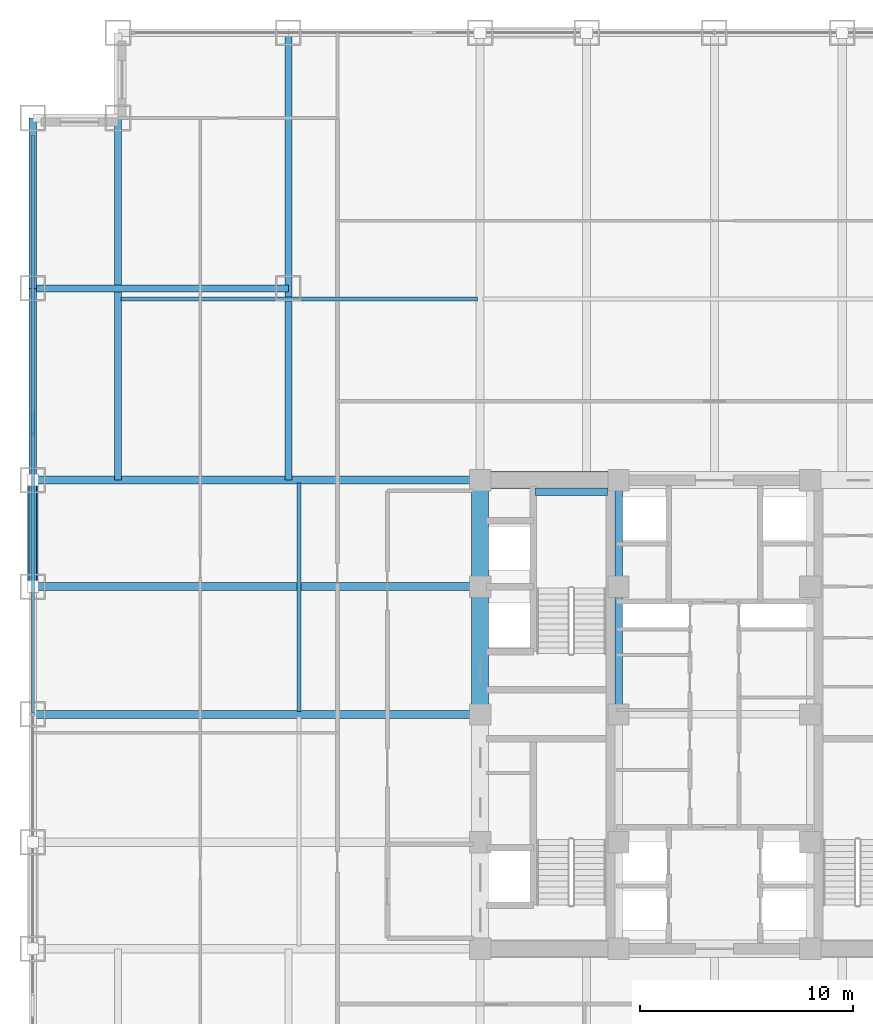
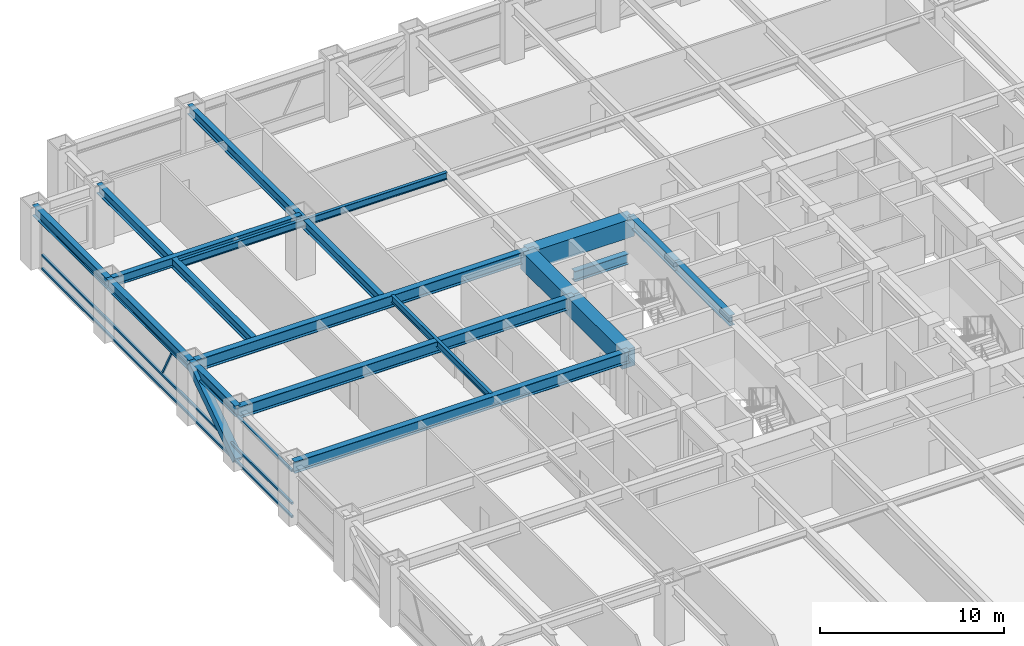
# One storey, part 9 of 27: 17 beams, 5 members, 1 element without a shape of its own.
"""IFC4 building model written with IfcOpenShell, lengths in metres."""

from ifc_helpers import new_model, si_unit, direction, frame, origin, origin_2d, place, context, subcontext, project, spatial, rectangle, hollow_rectangle, i_section, extrude, source, transform, mapped, material, material_profile, profile_set, type_object, element, aggregate, save


model = new_model("IFC4")

# Units and contexts
model_context = context("Model", 3, precision=1e-05, world=origin(), true_north=direction((0.0, 1.0)))
body_context = subcontext(model_context, "Body", "Model", "MODEL_VIEW")
ifc_project = project(units=[si_unit("LENGTHUNIT", "METRE"), si_unit("AREAUNIT", "SQUARE_METRE"), si_unit("VOLUMEUNIT", "CUBIC_METRE"), si_unit("PLANEANGLEUNIT", "RADIAN"), si_unit("MASSUNIT", "GRAM", prefix="KILO")], contexts=[model_context])

# Site, building, storey
site_placement = place(None, origin())
site = spatial("IfcSite", under=ifc_project, at=site_placement, CompositionType="ELEMENT")
building_placement = place(site_placement, origin())
building = spatial("IfcBuilding", under=site, at=building_placement, Name="Khorayat Bourse Tower", CompositionType="ELEMENT")
storey_placement = place(building_placement, frame((0.0, 0.0, 111.89990234375)))
storey = spatial("IfcBuildingStorey", under=building, at=storey_placement, Name="L25", CompositionType="ELEMENT", Elevation=111.89990234375)

# Beams
ifc_material_1 = material(Name="Concrete C72/90", Category="concrete")
ifc_material_profile_1 = material_profile(ifc_material_1, rectangle(XDim=0.800048828125, YDim=1.199951171875, at=origin_2d()), Name="RC 800x1200")
ifc_profile_set_1 = profile_set([ifc_material_profile_1], Name="Concrete C72/90")
beam_type_1 = type_object("IfcBeamType", Name="BM-COUP-1200", PredefinedType="BEAM", material=ifc_profile_set_1)
shared_shape_1 = source(origin(), body_context, "Body", "SweptSolid", [
    extrude(rectangle(XDim=0.800048828125, YDim=1.199951171875, at=origin_2d()), origin(), (0.0, 0.0, 1.0), 5.0),
])
beam_1_placement = place(storey_placement, frame((-11.0, 6.0, 3.239990234375), z_axis=(0.0, 1.0, 0.0), x_axis=(-1.0, 0.0, 0.0)))
element("IfcBeam", 1, at=beam_1_placement, inside=storey, type_object=beam_type_1, Name="L25 BM-COUP-1200 BM-L25-CRX-04", PredefinedType="BEAM", context=body_context, shape_type="MappedRepresentation", body=[
    mapped(shared_shape_1, transform((0.0, 0.0, 0.0), scale=1.0)),
])
shared_shape_2 = source(origin(), body_context, "Body", "SweptSolid", [
    extrude(rectangle(XDim=0.800048828125, YDim=1.199951171875, at=origin_2d()), origin(), (0.0, 0.0, 1.0), 6.0),
])
beam_2_placement = place(storey_placement, frame((-11.0, 0.0, 3.239990234375), z_axis=(0.0, 1.0, 0.0), x_axis=(-1.0, 0.0, 0.0)))
element("IfcBeam", 2, at=beam_2_placement, inside=storey, type_object=beam_type_1, Name="L25 BM-COUP-1200 BM-L25-CRX-03", PredefinedType="BEAM", context=body_context, shape_type="MappedRepresentation", body=[
    mapped(shared_shape_2, transform((0.0, 0.0, 0.0), scale=1.0)),
])
ifc_material_2 = material(Name="Steel ASTM A992 Grade 50", Category="steel")
ifc_material_profile_2 = material_profile(ifc_material_2, i_section(OverallWidth=0.35498046875, OverallDepth=0.695068359375, WebThickness=0.015380859375, FlangeThickness=0.02490234375, FilletRadius=0.01806640625, at=origin_2d()), Name="W690X217")
ifc_profile_set_2 = profile_set([ifc_material_profile_2], Name="Steel ASTM A992 Grade 50")
beam_type_2 = type_object("IfcBeamType", Name="BM-GIRD-690", PredefinedType="BEAM", material=ifc_profile_set_2)
shared_shape_3 = source(origin(), body_context, "Body", "SweptSolid", [
    extrude(i_section(OverallWidth=0.35498046875, OverallDepth=0.695068359375, WebThickness=0.015380859375, FlangeThickness=0.02490234375, FilletRadius=0.01806640625, at=origin_2d()), origin(), (0.0, 0.0, 1.0), 5.0),
])
beam_3_placement = place(storey_placement, frame((-4.5, 6.0, 3.49267578125), z_axis=(0.0, 1.0, 0.0), x_axis=(-1.0, 0.0, 0.0)))
element("IfcBeam", 3, at=beam_3_placement, inside=storey, type_object=beam_type_2, Name="L25 BM-GIRD-690 BM-L25-CRX-08", PredefinedType="BEAM", context=body_context, shape_type="MappedRepresentation", body=[
    mapped(shared_shape_3, transform((0.0, 0.0, 0.0), scale=1.0)),
])
shared_shape_4 = source(origin(), body_context, "Body", "SweptSolid", [
    extrude(i_section(OverallWidth=0.35498046875, OverallDepth=0.695068359375, WebThickness=0.015380859375, FlangeThickness=0.02490234375, FilletRadius=0.01806640625, at=origin_2d()), origin(), (0.0, 0.0, 1.0), 6.0),
])
beam_4_placement = place(storey_placement, frame((-4.5, 0.0, 3.49267578125), z_axis=(0.0, 1.0, 0.0), x_axis=(-1.0, 0.0, 0.0)))
element("IfcBeam", 4, at=beam_4_placement, inside=storey, type_object=beam_type_2, Name="L25 BM-GIRD-690 BM-L25-CRX-07", PredefinedType="BEAM", context=body_context, shape_type="MappedRepresentation", body=[
    mapped(shared_shape_4, transform((0.0, 0.0, 0.0), scale=1.0)),
])
shared_shape_5 = source(origin(), body_context, "Body", "SweptSolid", [
    extrude(rectangle(XDim=0.800048828125, YDim=1.199951171875, at=origin_2d()), origin(), (0.0, 0.0, 1.0), 6.5),
])
beam_5_placement = place(storey_placement, frame((-11.0, 11.0, 3.239990234375), z_axis=(1.0, 0.0, 0.0), x_axis=(0.0, 1.0, 0.0)))
element("IfcBeam", 5, at=beam_5_placement, inside=storey, type_object=beam_type_1, Name="L25 BM-COUP-1200 BM-L25-CRY-20", PredefinedType="BEAM", context=body_context, shape_type="MappedRepresentation", body=[
    mapped(shared_shape_5, transform((0.0, 0.0, 0.0), scale=1.0)),
])
shared_shape_6 = source(origin(), body_context, "Body", "SweptSolid", [
    extrude(i_section(OverallWidth=0.35498046875, OverallDepth=0.695068359375, WebThickness=0.015380859375, FlangeThickness=0.02490234375, FilletRadius=0.01806640625, at=origin_2d()), origin(), (0.0, 0.0, 1.0), 3.39990234375),
])
beam_6_placement = place(storey_placement, frame((-8.419921875, 10.449951171875, 1.502685546875), z_axis=(1.0, 0.0, 0.0), x_axis=(0.0, 1.0, 0.0)))
element("IfcBeam", 6, at=beam_6_placement, inside=storey, type_object=beam_type_2, Name="L25 BM-GIRD-690 BM-L25-ST2L", PredefinedType="BEAM", context=body_context, shape_type="MappedRepresentation", body=[
    mapped(shared_shape_6, transform((0.0, 0.0, 0.0), scale=1.0)),
])
ifc_material_profile_3 = material_profile(ifc_material_2, i_section(OverallWidth=0.35498046875, OverallDepth=0.695068359375, WebThickness=0.015380859375, FlangeThickness=0.02490234375, FilletRadius=0.01806640625, at=origin_2d()), Name="W690X217")
ifc_profile_set_3 = profile_set([ifc_material_profile_3], Name="Steel ASTM A992 Grade 50")
beam_type_3 = type_object("IfcBeamType", Name="BM-SPAN-690", PredefinedType="SPANDREL", material=ifc_profile_set_3)
shared_shape_7 = source(origin(), body_context, "Body", "SweptSolid", [
    extrude(i_section(OverallWidth=0.35498046875, OverallDepth=0.695068359375, WebThickness=0.015380859375, FlangeThickness=0.02490234375, FilletRadius=0.01806640625, at=origin_2d()), origin(), (0.0, 0.0, 1.0), 9.0),
])
beam_7_placement = place(storey_placement, frame((-32.0, 11.0, 3.49267578125), z_axis=(0.0, 1.0, 0.0), x_axis=(-1.0, 0.0, 0.0)))
element("IfcBeam", 7, at=beam_7_placement, inside=storey, type_object=beam_type_3, Name="L25 BM-SPAN-690 BM-L25-SPN-055", PredefinedType="SPANDREL", context=body_context, shape_type="MappedRepresentation", body=[
    mapped(shared_shape_7, transform((0.0, 0.0, 0.0), scale=1.0)),
])
shared_shape_8 = source(origin(), body_context, "Body", "SweptSolid", [
    extrude(i_section(OverallWidth=0.35498046875, OverallDepth=0.695068359375, WebThickness=0.015380859375, FlangeThickness=0.02490234375, FilletRadius=0.01806640625, at=origin_2d()), origin(), (0.0, 0.0, 1.0), 5.0),
])
beam_8_placement = place(storey_placement, frame((-32.0, 6.0, 3.49267578125), z_axis=(0.0, 1.0, 0.0), x_axis=(-1.0, 0.0, 0.0)))
element("IfcBeam", 8, at=beam_8_placement, inside=storey, type_object=beam_type_3, Name="L25 BM-SPAN-690 BM-L25-SPN-056", PredefinedType="SPANDREL", context=body_context, shape_type="MappedRepresentation", body=[
    mapped(shared_shape_8, transform((0.0, 0.0, 0.0), scale=1.0)),
])
ifc_material_profile_4 = material_profile(ifc_material_2, i_section(OverallWidth=0.324951171875, OverallDepth=0.615966796875, WebThickness=0.013916015625, FlangeThickness=0.021484375, FilletRadius=0.01611328125, at=origin_2d()), Name="W610X174")
ifc_profile_set_4 = profile_set([ifc_material_profile_4], Name="Steel ASTM A992 Grade 50")
beam_type_4 = type_object("IfcBeamType", Name="BM-GIRD-610", PredefinedType="BEAM", material=ifc_profile_set_4)
shared_shape_9 = source(origin(), body_context, "Body", "SweptSolid", [
    extrude(i_section(OverallWidth=0.324951171875, OverallDepth=0.615966796875, WebThickness=0.013916015625, FlangeThickness=0.021484375, FilletRadius=0.01611328125, at=origin_2d()), origin(), (0.0, 0.0, 1.0), 21.0),
])
beam_9_placement = place(storey_placement, frame((-20.0, 11.0, 3.531982421875), z_axis=(0.0, 1.0, 0.0), x_axis=(-1.0, 0.0, 0.0)))
element("IfcBeam", 9, at=beam_9_placement, inside=storey, type_object=beam_type_4, Name="L25 BM-GIRD-610 BM-L25-CNRY-085", PredefinedType="BEAM", context=body_context, shape_type="MappedRepresentation", body=[
    mapped(shared_shape_9, transform((0.0, 0.0, 0.0), scale=1.0)),
])
shared_shape_10 = source(origin(), body_context, "Body", "SweptSolid", [
    extrude(i_section(OverallWidth=0.324951171875, OverallDepth=0.615966796875, WebThickness=0.013916015625, FlangeThickness=0.021484375, FilletRadius=0.01611328125, at=origin_2d()), origin(), (0.0, 0.0, 1.0), 12.0),
])
beam_10_placement = place(storey_placement, frame((-32.0, 20.0, 3.531982421875), z_axis=(1.0, 0.0, 0.0), x_axis=(0.0, 1.0, 0.0)))
element("IfcBeam", 10, at=beam_10_placement, inside=storey, type_object=beam_type_4, Name="L25 BM-GIRD-610 BM-L25-CNRX-095", PredefinedType="BEAM", context=body_context, shape_type="MappedRepresentation", body=[
    mapped(shared_shape_10, transform((0.0, 0.0, 0.0), scale=1.0)),
])
ifc_material_profile_5 = material_profile(ifc_material_2, i_section(OverallWidth=0.194091796875, OverallDepth=0.468994140625, WebThickness=0.0126953125, FlangeThickness=0.0205078125, FilletRadius=0.012939453125, at=origin_2d()), Name="W460X106")
ifc_profile_set_5 = profile_set([ifc_material_profile_5], Name="Steel ASTM A992 Grade 50")
beam_type_5 = type_object("IfcBeamType", Name="BM-JOIST-460", PredefinedType="JOIST", material=ifc_profile_set_5)
shared_shape_11 = source(origin(), body_context, "Body", "SweptSolid", [
    extrude(i_section(OverallWidth=0.194091796875, OverallDepth=0.468994140625, WebThickness=0.0126953125, FlangeThickness=0.0205078125, FilletRadius=0.012939453125, at=origin_2d()), origin(), (0.0, 0.0, 1.0), 10.740234375),
])
beam_11_placement = place(storey_placement, frame((-19.5, 0.1298828125, 3.605712890625), z_axis=(0.0, 1.0, 0.0), x_axis=(-1.0, 0.0, 0.0)))
element("IfcBeam", 11, at=beam_11_placement, inside=storey, type_object=beam_type_5, Name="L25 BM-JOIST-460 BM-L25-JSTY-103", PredefinedType="JOIST", context=body_context, shape_type="MappedRepresentation", body=[
    mapped(shared_shape_11, transform((0.0, 0.0, 0.0), scale=1.0)),
])
shared_shape_12 = source(origin(), body_context, "Body", "SweptSolid", [
    extrude(i_section(OverallWidth=0.35498046875, OverallDepth=0.695068359375, WebThickness=0.015380859375, FlangeThickness=0.02490234375, FilletRadius=0.01806640625, at=origin_2d()), origin(), (0.0, 0.0, 1.0), 8.0),
])
beam_12_placement = place(storey_placement, frame((-32.0, 20.0, 3.49267578125), z_axis=(0.0, 1.0, 0.0), x_axis=(-1.0, 0.0, 0.0)))
element("IfcBeam", 12, at=beam_12_placement, inside=storey, type_object=beam_type_3, Name="L25 BM-SPAN-690 BM-L25-SPN-054", PredefinedType="SPANDREL", context=body_context, shape_type="MappedRepresentation", body=[
    mapped(shared_shape_12, transform((0.0, 0.0, 0.0), scale=1.0)),
])
ifc_material_profile_6 = material_profile(ifc_material_2, i_section(OverallWidth=0.381103515625, OverallDepth=0.77294921875, WebThickness=0.0166015625, FlangeThickness=0.027587890625, FilletRadius=0.01806640625, at=origin_2d()), Name="W760X257")
ifc_profile_set_6 = profile_set([ifc_material_profile_6], Name="Steel ASTM A992 Grade 50")
beam_type_6 = type_object("IfcBeamType", Name="BM-GIRD-760", PredefinedType="BEAM", material=ifc_profile_set_6)
shared_shape_13 = source(origin(), body_context, "Body", "SweptSolid", [
    extrude(i_section(OverallWidth=0.381103515625, OverallDepth=0.77294921875, WebThickness=0.0166015625, FlangeThickness=0.027587890625, FilletRadius=0.01806640625, at=origin_2d()), origin(), (0.0, 0.0, 1.0), 21.0),
])
for number, where, z_axis, x_axis, name in (
    (13, (-32.0, 0.0, 3.45361328125), (1.0, 0.0, 0.0), (0.0, 1.0, 0.0), "L25 BM-GIRD-760 BM-L25-RADX-079"),
    (14, (-32.0, 6.0, 3.45361328125), (1.0, 0.0, 0.0), (0.0, 1.0, 0.0), "L25 BM-GIRD-760 BM-L25-RADX-081"),
    (15, (-32.0, 11.0, 3.45361328125), (1.0, 0.0, 0.0), (0.0, 1.0, 0.0), "L25 BM-GIRD-760 BM-L25-RADX-083"),
):
    element("IfcBeam", number, at=place(storey_placement, frame(where, z_axis=z_axis, x_axis=x_axis)), inside=storey, type_object=beam_type_6, Name=name, PredefinedType="BEAM", context=body_context, shape_type="MappedRepresentation", body=[
        mapped(shared_shape_13, transform((0.0, 0.0, 0.0), scale=1.0)),
    ])
shared_shape_14 = source(origin(), body_context, "Body", "SweptSolid", [
    extrude(i_section(OverallWidth=0.324951171875, OverallDepth=0.615966796875, WebThickness=0.013916015625, FlangeThickness=0.021484375, FilletRadius=0.01611328125, at=origin_2d()), origin(), (0.0, 0.0, 1.0), 17.0),
])
beam_13_placement = place(storey_placement, frame((-28.0, 11.0, 3.531982421875), z_axis=(0.0, 1.0, 0.0), x_axis=(-1.0, 0.0, 0.0)))
element("IfcBeam", 16, at=beam_13_placement, inside=storey, type_object=beam_type_4, Name="L25 BM-GIRD-610 BM-L25-CNRY-089", PredefinedType="BEAM", context=body_context, shape_type="MappedRepresentation", body=[
    mapped(shared_shape_14, transform((0.0, 0.0, 0.0), scale=1.0)),
])
shared_shape_15 = source(origin(), body_context, "Body", "SweptSolid", [
    extrude(i_section(OverallWidth=0.194091796875, OverallDepth=0.468994140625, WebThickness=0.0126953125, FlangeThickness=0.0205078125, FilletRadius=0.012939453125, at=origin_2d()), origin(), (0.0, 0.0, 1.0), 16.740234375),
])
beam_14_placement = place(storey_placement, frame((-27.8701171875, 19.5, 3.605712890625), z_axis=(1.0, 0.0, 0.0), x_axis=(0.0, 1.0, 0.0)))
element("IfcBeam", 17, at=beam_14_placement, inside=storey, type_object=beam_type_5, Name="L25 BM-JOIST-460 BM-L25-JSTX-099", PredefinedType="JOIST", context=body_context, shape_type="MappedRepresentation", body=[
    mapped(shared_shape_15, transform((0.0, 0.0, 0.0), scale=1.0)),
])

# Member
ifc_material_3 = material(Name="Steel EN 10025-4 S460M", Category="steel")
ifc_material_profile_7 = material_profile(ifc_material_3, hollow_rectangle(XDim=0.5, YDim=0.5, WallThickness=0.028076171875, at=origin_2d()), Name="HSS 500x500x28")
ifc_profile_set_7 = profile_set([ifc_material_profile_7], Name="Steel EN 10025-4 S460M")
member_type_1 = type_object("IfcMemberType", Name="MBR-TUBE-500", PredefinedType="BRACE", material=ifc_profile_set_7)
shared_shape_16 = source(origin(), body_context, "Body", "SweptSolid", [
    extrude(hollow_rectangle(XDim=0.5, YDim=0.5, WallThickness=0.028076171875, at=origin_2d()), origin(), (0.0, 0.0, 1.0), 6.012939453125),
])
member_1_placement = place(storey_placement, frame((-32.0, 6.0, 0.25), z_axis=(0.0, 0.831531473026, 0.555477640745), x_axis=(-1.0, 0.0, 0.0)))
element("IfcMember", 18, at=member_1_placement, inside=storey, type_object=member_type_1, Name="L25 Perimeter Tube Brace 06", PredefinedType="BRACE", context=body_context, shape_type="MappedRepresentation", body=[
    mapped(shared_shape_16, transform((0.0, 0.0, 0.0), scale=1.0)),
])

# Curtain wall, members
ifc_material_4 = material(Name="Aluminium EN AW-6063 T6", Category="aluminium")
curtain_wall_type = type_object("IfcCurtainWallType", Name="CW-SYS-02", PredefinedType="NOTDEFINED", material=ifc_material_4)
curtain_wall_placement = place(storey_placement, origin())
curtain_wall = element("IfcCurtainWall", 19, at=curtain_wall_placement, inside=storey, type_object=curtain_wall_type, Name="L25 Curtain Wall CW-L25-W1", PredefinedType="NOTDEFINED")
ifc_material_profile_8 = material_profile(ifc_material_4, hollow_rectangle(XDim=0.139892578125, YDim=0.139892578125, WallThickness=0.006103515625, at=origin_2d()), Name="ALU 140x140x6")
ifc_profile_set_8 = profile_set([ifc_material_profile_8], Name="Aluminium EN AW-6063 T6")
member_type_2 = type_object("IfcMemberType", Name="CWT-HORZ-140", PredefinedType="USERDEFINED", material=ifc_profile_set_8)
shared_shape_17 = source(origin(), body_context, "Body", "SweptSolid", [
    extrude(hollow_rectangle(XDim=0.139892578125, YDim=0.139892578125, WallThickness=0.006103515625, at=origin_2d()), origin(), (0.0, 0.0, 1.0), 27.139892578125),
])
member_2_placement = place(storey_placement, frame((-32.0, 0.070068359375, 0.070068359375), z_axis=(0.0, 1.0, 0.0), x_axis=(-1.0, 0.0, 0.0)))
member_2 = element("IfcMember", 20, at=member_2_placement, type_object=member_type_2, Name="CW-L25-W1 Horizontal Transom 2-1", ObjectType="TRANSOM", PredefinedType="USERDEFINED", context=body_context, shape_type="MappedRepresentation", body=[
    mapped(shared_shape_17, transform((0.0, 0.0, 0.0), scale=1.0)),
])
member_3_placement = place(storey_placement, frame((-32.0, 0.070068359375, 0.9501953125), z_axis=(0.0, 1.0, 0.0), x_axis=(-1.0, 0.0, 0.0)))
member_3 = element("IfcMember", 21, at=member_3_placement, type_object=member_type_2, Name="CW-L25-W1 Horizontal Transom 2-2", ObjectType="TRANSOM", PredefinedType="USERDEFINED", context=body_context, shape_type="MappedRepresentation", body=[
    mapped(shared_shape_17, transform((0.0, 0.0, 0.0), scale=1.0)),
])
member_4_placement = place(storey_placement, frame((-32.0, 0.070068359375, 3.1201171875), z_axis=(0.0, 1.0, 0.0), x_axis=(-1.0, 0.0, 0.0)))
member_4 = element("IfcMember", 22, at=member_4_placement, type_object=member_type_2, Name="CW-L25-W1 Horizontal Transom 2-3", ObjectType="TRANSOM", PredefinedType="USERDEFINED", context=body_context, shape_type="MappedRepresentation", body=[
    mapped(shared_shape_17, transform((0.0, 0.0, 0.0), scale=1.0)),
])
ifc_material_profile_9 = material_profile(ifc_material_4, hollow_rectangle(XDim=0.1201171875, YDim=0.1201171875, WallThickness=0.0048828125, at=origin_2d()), Name="ALU 120x120x5")
ifc_profile_set_9 = profile_set([ifc_material_profile_9], Name="Aluminium EN AW-6063 T6")
member_type_3 = type_object("IfcMemberType", Name="CWM-DIAG-120", PredefinedType="MULLION", material=ifc_profile_set_9)
shared_shape_18 = source(origin(), body_context, "Body", "SweptSolid", [
    extrude(hollow_rectangle(XDim=0.1201171875, YDim=0.1201171875, WallThickness=0.0048828125, at=origin_2d()), origin(), (0.0, 0.0, 1.0), 2.11328125),
])
member_5_placement = place(storey_placement, frame((-32.0, 14.132080078125, 1.10009765625), z_axis=(0.0, -0.465694055905, 0.884945787207), x_axis=(1.0, 0.0, 0.0)))
member_5 = element("IfcMember", 23, at=member_5_placement, type_object=member_type_3, Name="CW-L25-W1 Faceted Diagonal Mullion 2", PredefinedType="MULLION", context=body_context, shape_type="MappedRepresentation", body=[
    mapped(shared_shape_18, transform((0.0, 0.0, 0.0), scale=1.0)),
])
aggregate(curtain_wall, [member_2, member_3, member_4, member_5])

save(model, "model.ifc")
